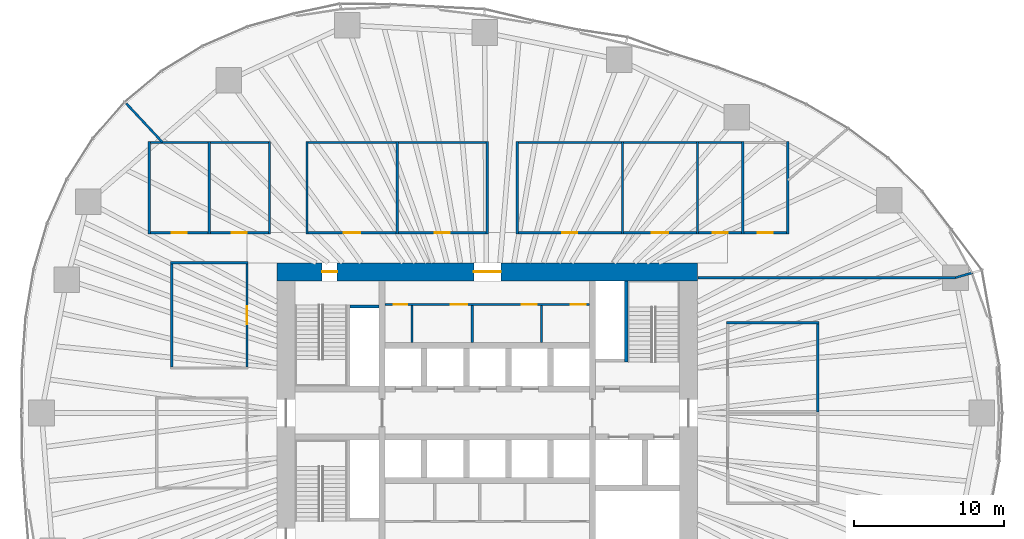
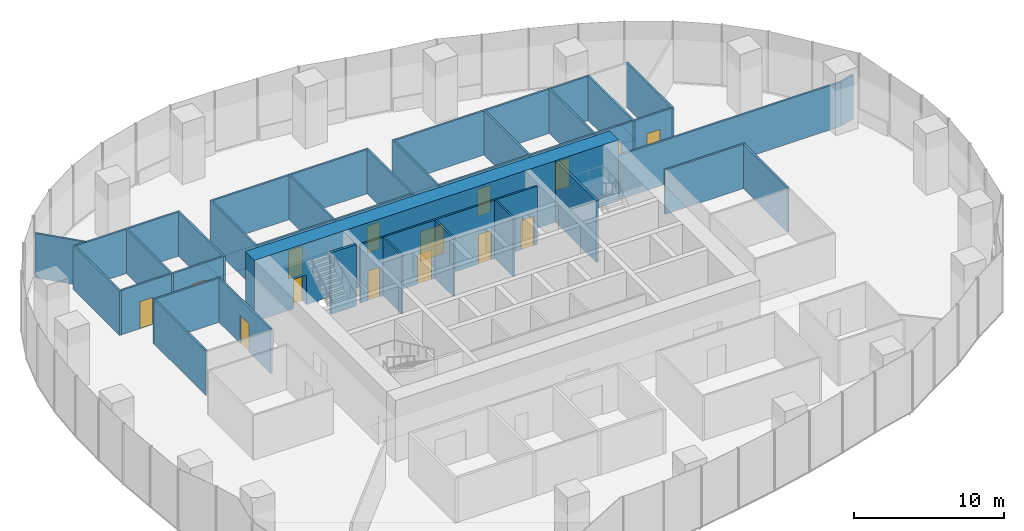
# One storey, part 11 of 19: 41 walls, 15 doors, 15 openings.
"""IFC4 building model written with IfcOpenShell, lengths in metres."""

import ifcopenshell
import ifcopenshell.guid

model = None  # the IFC model being written
_history = None  # IfcOwnerHistory: only IFC2X3 demands one
_inside = {}  # id of a spatial element -> (the spatial element, [elements in it])
_under = {}  # id of a project, library or spatial element -> (it, [spatial elements below it])
_declared = {}  # id of a project -> (the project, [libraries it declares])
_typed = {}  # id of a type object -> (the type object, [elements of that type])
_made_of = {}  # id of a material, layer set ... -> (it, [elements and type objects made of it])


def new_model(schema):
    """Start an empty IFC model of exactly this schema.

    Asked for "IFC4X3", IfcOpenShell would pick the latest addendum, in which some entities
    have other attributes; the version numbers below select the first issue.
    IFC2X3 requires an IfcOwnerHistory on every rooted entity: one is made here for all.
    """
    global model, _history
    if schema == "IFC4X3":
        model = ifcopenshell.file(schema_version=(4, 3, 0, 0))
    else:
        model = ifcopenshell.file(schema=schema)
    _inside.clear()
    _under.clear()
    _declared.clear()
    _typed.clear()
    _made_of.clear()
    _history = None
    if model.schema == "IFC2X3":
        org = make("IfcOrganization", Name="unknown")
        user = make(
            "IfcPersonAndOrganization",
            ThePerson=make("IfcPerson", FamilyName="unknown"),
            TheOrganization=org,
        )
        app = make(
            "IfcApplication",
            ApplicationDeveloper=org,
            Version="unknown",
            ApplicationFullName="unknown",
            ApplicationIdentifier="unknown",
        )
        _history = make(
            "IfcOwnerHistory",
            OwningUser=user,
            OwningApplication=app,
            ChangeAction="ADDED",
            CreationDate=0,
        )
    return model


def make(cls, **values):
    """One entity of the class cls with the attributes given. An attribute that is None is left unset."""
    return model.create_entity(
        cls, **{name: value for name, value in values.items() if value is not None}
    )


def rooted(cls, **values):
    """An entity with a GlobalId (a new one), such as an element, a storey or a relation."""
    return make(cls, GlobalId=ifcopenshell.guid.new(), OwnerHistory=_history, **values)


def si_unit(unit_type, name, prefix=None):
    """IfcSIUnit, for example si_unit("LENGTHUNIT", "METRE", prefix="MILLI")."""
    return make("IfcSIUnit", UnitType=unit_type, Prefix=prefix, Name=name)


def assignment(units):
    """IfcUnitAssignment: the units of a project."""
    return None if units is None else make("IfcUnitAssignment", Units=units)


def point(xyz):
    """IfcCartesianPoint."""
    return None if xyz is None else make("IfcCartesianPoint", Coordinates=xyz)


def direction(xyz):
    """IfcDirection."""
    return None if xyz is None else make("IfcDirection", DirectionRatios=xyz)


def frame(location, z_axis=None, x_axis=None):
    """IfcAxis2Placement3D, a coordinate frame: its origin and axes. An axis left out is left unset."""
    return make(
        "IfcAxis2Placement3D",
        Location=point(location),
        Axis=direction(z_axis),
        RefDirection=direction(x_axis),
    )


def frame_2d(location, x_axis=None):
    """IfcAxis2Placement2D, a coordinate frame in the plane: its origin and x axis."""
    return make(
        "IfcAxis2Placement2D", Location=point(location), RefDirection=direction(x_axis)
    )


def origin():
    """The frame at (0, 0, 0) with its axes left unset."""
    return frame((0.0, 0.0, 0.0))


def place(relative_to, where):
    """IfcLocalPlacement: puts the frame where relative to a parent placement (None: the world)."""
    return make(
        "IfcLocalPlacement", PlacementRelTo=relative_to, RelativePlacement=where
    )


def context(
    kind, dimensions, precision=None, world=None, true_north=None, identifier=None
):
    """IfcGeometricRepresentationContext, for example the 3D "Model" context."""
    return make(
        "IfcGeometricRepresentationContext",
        ContextIdentifier=identifier,
        ContextType=kind,
        CoordinateSpaceDimension=dimensions,
        Precision=precision,
        WorldCoordinateSystem=world,
        TrueNorth=true_north,
    )


def subcontext(parent, identifier, kind, view, scale=None):
    """IfcGeometricRepresentationSubContext, for example "Body" below "Model"."""
    return make(
        "IfcGeometricRepresentationSubContext",
        ContextIdentifier=identifier,
        ContextType=kind,
        ParentContext=parent,
        TargetScale=scale,
        TargetView=view,
    )


def project(units=None, contexts=None):
    """IfcProject with its units and contexts."""
    return rooted(
        "IfcProject",
        Name="project",
        RepresentationContexts=contexts,
        UnitsInContext=assignment(units),
    )


def spatial(cls, under=None, at=None, **own):
    """A site, building, storey or space (cls), placed at a placement, below another one or the project."""
    s = rooted(cls, ObjectPlacement=at, **own)
    if under is not None:
        _under.setdefault(under.id(), (under, []))[1].append(s)
    return s


def profile(cls, at=None, kind="AREA", **sizes):
    """A parametric profile (cls). Its sizes go by their IFC names, for example OverallWidth=200.0."""
    return make(cls, ProfileType=kind, Position=at, **sizes)


def rectangle(**sizes):
    """IfcRectangleProfileDef."""
    return profile("IfcRectangleProfileDef", **sizes)


def extrude(swept, where, along, depth):
    """IfcExtrudedAreaSolid: the profile swept, set in the frame where, extruded along a direction by depth."""
    return make(
        "IfcExtrudedAreaSolid",
        SweptArea=swept,
        Position=where,
        ExtrudedDirection=direction(along),
        Depth=depth,
    )


def shape(context_of_items, identifier, shape_type, items):
    """IfcShapeRepresentation: the items that make up one representation, for example the "Body"."""
    return make(
        "IfcShapeRepresentation",
        ContextOfItems=context_of_items,
        RepresentationIdentifier=identifier,
        RepresentationType=shape_type,
        Items=items,
    )


def material(Name=None, Category=None):
    """IfcMaterial."""
    return make("IfcMaterial", Name=Name, Category=Category)


def layer(
    of_material, thickness, ventilated=None, Name=None, Category=None, Priority=None
):
    """IfcMaterialLayer: one layer of a wall or slab, of a material (None: an air gap)."""
    return make(
        "IfcMaterialLayer",
        Material=of_material,
        LayerThickness=thickness,
        IsVentilated=ventilated,
        Name=Name,
        Category=Category,
        Priority=Priority,
    )


def layer_set(layers, Name=None):
    """IfcMaterialLayerSet."""
    return make("IfcMaterialLayerSet", MaterialLayers=layers, LayerSetName=Name)


def made_of(thing, what):
    """Note that an element or type object is made of a material, layer set ...; save() writes the relation."""
    if what is not None:
        _made_of.setdefault(what.id(), (what, []))[1].append(thing)
    return thing


def type_object(cls, material=None, **own):
    """A type object (cls), such as IfcWallType, which elements share."""
    return made_of(rooted(cls, **own), material)


def element(
    cls,
    number,
    at=None,
    inside=None,
    cuts=None,
    type_object=None,
    material=None,
    context=None,
    identifier="Body",
    shape_type=None,
    held_by="IfcProductDefinitionShape",
    body=None,
    shapes=None,
    **own,
):
    """One element of the class cls, such as IfcWall. Its Tag is "e" and its number.

    at: its placement. inside: the storey or other place that contains it. cuts: it is an
    opening in that element (IfcRelVoidsElement). A single representation is given by context,
    identifier, shape_type and body (its items); several are given by shapes. held_by: the class
    of the entity that holds the representations. save() writes the other relations.
    """
    e = rooted(cls, Tag="e%d" % number, ObjectPlacement=at, **own)
    if body is not None:
        shapes = [shape(context, identifier, shape_type, body)]
    if shapes is not None:
        e.Representation = make(held_by, Representations=shapes)
    if inside is not None:
        _inside.setdefault(inside.id(), (inside, []))[1].append(e)
    if cuts is not None:
        rooted(
            "IfcRelVoidsElement", RelatingBuildingElement=cuts, RelatedOpeningElement=e
        )
    if type_object is not None:
        _typed.setdefault(type_object.id(), (type_object, []))[1].append(e)
    return made_of(e, material)


def fill(opening, filler):
    """IfcRelFillsElement: the door or window that sits in an opening."""
    return rooted(
        "IfcRelFillsElement",
        RelatingOpeningElement=opening,
        RelatedBuildingElement=filler,
    )


def aggregate(whole, parts):
    """IfcRelAggregates: a whole, such as a stair, and the parts it consists of."""
    return rooted("IfcRelAggregates", RelatingObject=whole, RelatedObjects=parts)


def save(model, path):
    """Write the relations noted so far, then the file.

    IfcRelAggregates (storeys below a building ...), IfcRelContainedInSpatialStructure (elements
    in a storey), IfcRelDefinesByType, IfcRelAssociatesMaterial and IfcRelDeclares: one each for
    every whole, place, type object, material and project.
    """
    for whole, parts in _under.values():
        aggregate(whole, parts)
    for where, things in _inside.values():
        rooted(
            "IfcRelContainedInSpatialStructure",
            RelatedElements=things,
            RelatingStructure=where,
        )
    for kind, things in _typed.values():
        rooted("IfcRelDefinesByType", RelatedObjects=things, RelatingType=kind)
    for what, things in _made_of.values():
        rooted("IfcRelAssociatesMaterial", RelatedObjects=things, RelatingMaterial=what)
    for by, libraries in _declared.values():
        rooted("IfcRelDeclares", RelatingContext=by, RelatedDefinitions=libraries)
    model.write(path)


model = new_model("IFC4")

# Units and contexts
model_context = context("Model", 3, precision=1e-05, world=origin(), true_north=direction((0.0, 1.0)))
body_context = subcontext(model_context, "Body", "Model", "MODEL_VIEW")
ifc_project = project(units=[si_unit("LENGTHUNIT", "METRE"), si_unit("AREAUNIT", "SQUARE_METRE"), si_unit("VOLUMEUNIT", "CUBIC_METRE"), si_unit("PLANEANGLEUNIT", "RADIAN"), si_unit("MASSUNIT", "GRAM", prefix="KILO")], contexts=[model_context])

# Site, building, storey
site_placement = place(None, origin())
site = spatial("IfcSite", under=ifc_project, at=site_placement, CompositionType="ELEMENT")
building_placement = place(site_placement, origin())
building = spatial("IfcBuilding", under=site, at=building_placement, Name="Ghaith Harvest Tower", CompositionType="ELEMENT")
storey_placement = place(building_placement, frame((0.0, 0.0, 75.0)))
storey = spatial("IfcBuildingStorey", under=building, at=storey_placement, Name="L15", CompositionType="ELEMENT", Elevation=75.0)

# Wall, openings, doors
ifc_material_1 = material(Name="Concrete blockwork, fair-faced", Category="masonry")
ifc_layer_1 = layer(ifc_material_1, 0.139892578125)
ifc_layer_set_1 = layer_set([ifc_layer_1], Name="CORE PARTITION 140")
wall_type_1 = type_object("IfcWallType", Name="CORE PARTITION 140", PredefinedType="PARTITIONING", material=ifc_layer_set_1)
wall_1_placement = place(storey_placement, frame((-6.800048828125, 7.22998046875, 0.0), z_axis=(0.0, 0.0, 1.0), x_axis=(1.0, 0.0, 0.0)))
wall_1 = element("IfcWall", 1, at=wall_1_placement, inside=storey, type_object=wall_type_1, Name="Core partition L15", PredefinedType="PARTITIONING", context=body_context, shape_type="SweptSolid", body=[
    extrude(rectangle(XDim=13.60009765625, YDim=0.139892578125, at=frame_2d((6.800048828125, 0.0))), origin(), (0.0, 0.0, 1.0), 4.75),
])
opening_1_placement = place(wall_1_placement, frame((0.580078125, 0.0, 0.0)))
opening_1 = element("IfcOpeningElement", 2, at=opening_1_placement, cuts=wall_1, Name="Opening 15-008", PredefinedType="OPENING", context=body_context, shape_type="SweptSolid", body=[
    extrude(rectangle(XDim=0.89990234375, YDim=2.39990234375, at=frame_2d((0.449951171875, 1.199951171875))), frame((0.0, 0.080078125, 0.0), z_axis=(0.0, -1.0, 0.0), x_axis=(1.0, 0.0, 0.0)), (0.0, 0.0, 1.0), 0.159912109375),
])
opening_2_placement = place(wall_1_placement, frame((4.3798828125, 0.0, 0.0)))
opening_2 = element("IfcOpeningElement", 3, at=opening_2_placement, cuts=wall_1, Name="Opening 15-009", PredefinedType="OPENING", context=body_context, shape_type="SweptSolid", body=[
    extrude(rectangle(XDim=1.10009765625, YDim=2.39990234375, at=frame_2d((0.550048828125, 1.199951171875))), frame((0.0, 0.080078125, 0.0), z_axis=(0.0, -1.0, 0.0), x_axis=(1.0, 0.0, 0.0)), (0.0, 0.0, 1.0), 0.159912109375),
])
opening_3_placement = place(wall_1_placement, frame((9.080078125, 0.0, 0.0)))
opening_3 = element("IfcOpeningElement", 4, at=opening_3_placement, cuts=wall_1, Name="Opening 15-010", PredefinedType="OPENING", context=body_context, shape_type="SweptSolid", body=[
    extrude(rectangle(XDim=1.0, YDim=2.39990234375, at=frame_2d((0.5, 1.199951171875))), frame((0.0, 0.080078125, 0.0), z_axis=(0.0, -1.0, 0.0), x_axis=(1.0, 0.0, 0.0)), (0.0, 0.0, 1.0), 0.159912109375),
])
opening_4_placement = place(wall_1_placement, frame((12.35009765625, 0.0, 0.0)))
opening_4 = element("IfcOpeningElement", 5, at=opening_4_placement, cuts=wall_1, Name="Opening 15-011", PredefinedType="OPENING", context=body_context, shape_type="SweptSolid", body=[
    extrude(rectangle(XDim=1.0, YDim=2.39990234375, at=frame_2d((0.5, 1.199951171875))), frame((0.0, 0.080078125, 0.0), z_axis=(0.0, -1.0, 0.0), x_axis=(1.0, 0.0, 0.0)), (0.0, 0.0, 1.0), 0.159912109375),
])
ifc_material_2 = material(Name="Steel fire door", Category="steel")
door_type_1 = type_object("IfcDoorType", Name="D3 FD90 1000x2400", OperationType="SINGLE_SWING_LEFT", PredefinedType="DOOR", material=ifc_material_2)
door_1_placement = place(opening_3_placement, origin())
door_1 = element("IfcDoor", 6, at=door_1_placement, inside=storey, type_object=door_type_1, Name="Male WC door", OperationType="SINGLE_SWING_RIGHT", OverallHeight=2.39990234375, OverallWidth=1.0, PredefinedType="DOOR", context=body_context, shape_type="SweptSolid", body=[
    extrude(rectangle(XDim=1.0, YDim=2.39990234375, at=frame_2d((0.5, 1.199951171875))), frame((0.0, 0.02490234375, 0.0), z_axis=(0.0, -1.0, 0.0), x_axis=(1.0, 0.0, 0.0)), (0.0, 0.0, 1.0), 0.050048828125),
])
fill(opening_3, door_1)
door_2_placement = place(opening_4_placement, origin())
door_2 = element("IfcDoor", 7, at=door_2_placement, inside=storey, type_object=door_type_1, Name="Female WC door", OperationType="SINGLE_SWING_RIGHT", OverallHeight=2.39990234375, OverallWidth=1.0, PredefinedType="DOOR", context=body_context, shape_type="SweptSolid", body=[
    extrude(rectangle(XDim=1.0, YDim=2.39990234375, at=frame_2d((0.5, 1.199951171875))), frame((0.0, 0.02490234375, 0.0), z_axis=(0.0, -1.0, 0.0), x_axis=(1.0, 0.0, 0.0)), (0.0, 0.0, 1.0), 0.050048828125),
])
fill(opening_4, door_2)
ifc_material_3 = material(Name="Steel fire door", Category="steel")
door_type_2 = type_object("IfcDoorType", Name="D5 FD90 900x2400", OperationType="SINGLE_SWING_LEFT", PredefinedType="DOOR", material=ifc_material_3)
door_3_placement = place(opening_1_placement, origin())
door_3 = element("IfcDoor", 8, at=door_3_placement, inside=storey, type_object=door_type_2, Name="Cleaner's store door", OperationType="SINGLE_SWING_LEFT", OverallHeight=2.39990234375, OverallWidth=0.89990234375, PredefinedType="DOOR", context=body_context, shape_type="SweptSolid", body=[
    extrude(rectangle(XDim=0.89990234375, YDim=2.39990234375, at=frame_2d((0.449951171875, 1.199951171875))), frame((0.0, 0.02490234375, 0.0), z_axis=(0.0, -1.0, 0.0), x_axis=(1.0, 0.0, 0.0)), (0.0, 0.0, 1.0), 0.050048828125),
])
fill(opening_1, door_3)
ifc_material_4 = material(Name="Steel fire door", Category="steel")
door_type_3 = type_object("IfcDoorType", Name="D9 FD90 1100x2400", OperationType="SINGLE_SWING_LEFT", PredefinedType="DOOR", material=ifc_material_4)
door_4_placement = place(opening_2_placement, origin())
door_4 = element("IfcDoor", 9, at=door_4_placement, inside=storey, type_object=door_type_3, Name="Accessible WC door", OperationType="SINGLE_SWING_LEFT", OverallHeight=2.39990234375, OverallWidth=1.10009765625, PredefinedType="DOOR", context=body_context, shape_type="SweptSolid", body=[
    extrude(rectangle(XDim=1.10009765625, YDim=2.39990234375, at=frame_2d((0.550048828125, 1.199951171875))), frame((0.0, 0.02490234375, 0.0), z_axis=(0.0, -1.0, 0.0), x_axis=(1.0, 0.0, 0.0)), (0.0, 0.0, 1.0), 0.050048828125),
])
fill(opening_2, door_4)

# Walls
for number, where, z_axis, x_axis, name in (
    (10, (-5.0, 4.699951171875, 0.0), (0.0, 0.0, 1.0), (0.0, 1.0, 0.0), "Core partition L15"),
    (11, (-1.0, 4.699951171875, 0.0), (0.0, 0.0, 1.0), (0.0, 1.0, 0.0), "Core partition L15"),
    (12, (3.60009765625, 4.699951171875, 0.0), (0.0, 0.0, 1.0), (0.0, 1.0, 0.0), "Core partition L15"),
):
    element("IfcWall", number, at=place(storey_placement, frame(where, z_axis=z_axis, x_axis=x_axis)), inside=storey, type_object=wall_type_1, Name=name, PredefinedType="PARTITIONING", context=body_context, shape_type="SweptSolid", body=[
        extrude(rectangle(XDim=2.4599609375, YDim=0.139892578125, at=frame_2d((1.22998046875, 0.0))), origin(), (0.0, 0.0, 1.0), 4.75),
    ])

# Wall, openings, doors
ifc_material_5 = material(Name="Concrete C70/85", Category="concrete")
ifc_layer_2 = layer(ifc_material_5, 1.199951171875)
ifc_layer_set_2 = layer_set([ifc_layer_2], Name="CORE WALL CW1200")
wall_type_2 = type_object("IfcWallType", Name="CORE WALL CW1200", PredefinedType="SHEAR", material=ifc_layer_set_2)
wall_2_placement = place(storey_placement, frame((14.0, 9.39990234375, 0.0), z_axis=(0.0, 0.0, 1.0), x_axis=(-1.0, 0.0, 0.0)))
wall_2 = element("IfcWall", 13, at=wall_2_placement, inside=storey, type_object=wall_type_2, Name="Core wall N L15", PredefinedType="SHEAR", context=body_context, shape_type="SweptSolid", body=[
    extrude(rectangle(XDim=28.0, YDim=1.199951171875, at=frame_2d((14.0, 0.0))), origin(), (0.0, 0.0, 1.0), 5.0),
])
opening_5_placement = place(wall_2_placement, frame((24.0, 0.0, 0.0)))
opening_5 = element("IfcOpeningElement", 14, at=opening_5_placement, cuts=wall_2, Name="Opening 15-005", PredefinedType="OPENING", context=body_context, shape_type="SweptSolid", body=[
    extrude(rectangle(XDim=1.0, YDim=2.39990234375, at=frame_2d((0.5, 1.199951171875))), frame((0.0, 0.60986328125, 0.0), z_axis=(0.0, -1.0, 0.0), x_axis=(1.0, 0.0, 0.0)), (0.0, 0.0, 1.0), 1.219970703125),
])
opening_6_placement = place(wall_2_placement, frame((13.10009765625, 0.0, 0.0)))
opening_6 = element("IfcOpeningElement", 15, at=opening_6_placement, cuts=wall_2, Name="Opening 15-016", PredefinedType="OPENING", context=body_context, shape_type="SweptSolid", body=[
    extrude(rectangle(XDim=1.800048828125, YDim=2.39990234375, at=frame_2d((0.89990234375, 1.199951171875))), frame((0.0, 0.60986328125, 0.0), z_axis=(0.0, -1.0, 0.0), x_axis=(1.0, 0.0, 0.0)), (0.0, 0.0, 1.0), 1.219970703125),
])
door_5_placement = place(opening_5_placement, origin())
door_5 = element("IfcDoor", 16, at=door_5_placement, inside=storey, type_object=door_type_1, Name="Stair ST1 door", OperationType="SINGLE_SWING_RIGHT", OverallHeight=2.39990234375, OverallWidth=1.0, PredefinedType="DOOR", context=body_context, shape_type="SweptSolid", body=[
    extrude(rectangle(XDim=1.0, YDim=2.39990234375, at=frame_2d((0.5, 1.199951171875))), frame((0.0, 0.02490234375, 0.0), z_axis=(0.0, -1.0, 0.0), x_axis=(1.0, 0.0, 0.0)), (0.0, 0.0, 1.0), 0.050048828125),
])
fill(opening_5, door_5)
ifc_material_6 = material(Name="Steel fire door", Category="steel")
door_type_4 = type_object("IfcDoorType", Name="D4 FD90 PAIR 1800x2400", OperationType="DOUBLE_DOOR_SINGLE_SWING", PredefinedType="DOOR", material=ifc_material_6)
door_6_placement = place(opening_6_placement, origin())
door_6 = element("IfcDoor", 17, at=door_6_placement, inside=storey, type_object=door_type_4, Name="Core service corridor doors", OperationType="DOUBLE_DOOR_SINGLE_SWING", OverallHeight=2.39990234375, OverallWidth=1.800048828125, PredefinedType="DOOR", context=body_context, shape_type="SweptSolid", body=[
    extrude(rectangle(XDim=1.800048828125, YDim=2.39990234375, at=frame_2d((0.89990234375, 1.199951171875))), frame((0.0, 0.02490234375, 0.0), z_axis=(0.0, -1.0, 0.0), x_axis=(1.0, 0.0, 0.0)), (0.0, 0.0, 1.0), 0.050048828125),
])
fill(opening_6, door_6)

# Walls
ifc_material_7 = material(Name="Gypsum board on steel studs", Category="steel")
ifc_layer_3 = layer(ifc_material_7, 0.14990234375)
ifc_layer_set_3 = layer_set([ifc_layer_3], Name="PARTITION 150")
wall_type_3 = type_object("IfcWallType", Name="PARTITION 150", PredefinedType="PARTITIONING", material=ifc_layer_set_3)
for number, where, z_axis, x_axis, name in (
    (18, (-12.0, 11.925048828125, 0.0), (0.0, 0.0, 1.0), (0.0, 1.0, 0.0), "Partition L15 row N1 cross wall 1"),
    (19, (-6.0, 11.925048828125, 0.0), (0.0, 0.0, 1.0), (0.0, 1.0, 0.0), "Partition L15 row N1 cross wall 2"),
    (20, (0.0, 11.925048828125, 0.0), (0.0, 0.0, 1.0), (0.0, 1.0, 0.0), "Partition L15 row N1 cross wall 3"),
):
    element("IfcWall", number, at=place(storey_placement, frame(where, z_axis=z_axis, x_axis=x_axis)), inside=storey, type_object=wall_type_3, Name=name, PredefinedType="PARTITIONING", context=body_context, shape_type="SweptSolid", body=[
        extrude(rectangle(XDim=6.14990234375, YDim=0.14990234375, at=frame_2d((3.074951171875, 0.0))), origin(), (0.0, 0.0, 1.0), 3.60009765625),
    ])

# Wall, opening, door
wall_3_placement = place(storey_placement, frame((-11.925048828125, 12.0, 0.0), z_axis=(0.0, 0.0, 1.0), x_axis=(1.0, 0.0, 0.0)))
wall_3 = element("IfcWall", 21, at=wall_3_placement, inside=storey, type_object=wall_type_3, Name="Partition L15-01", PredefinedType="PARTITIONING", context=body_context, shape_type="SweptSolid", body=[
    extrude(rectangle(XDim=5.85009765625, YDim=0.14990234375, at=frame_2d((2.925048828125, 0.0))), origin(), (0.0, 0.0, 1.0), 3.60009765625),
])
opening_7_placement = place(wall_3_placement, frame((2.375, 0.0, 0.0)))
opening_7 = element("IfcOpeningElement", 22, at=opening_7_placement, cuts=wall_3, Name="Opening 15-025", PredefinedType="OPENING", context=body_context, shape_type="SweptSolid", body=[
    extrude(rectangle(XDim=1.10009765625, YDim=2.300048828125, at=frame_2d((0.550048828125, 1.14990234375))), frame((0.0, 0.0849609375, 0.0), z_axis=(0.0, -1.0, 0.0), x_axis=(1.0, 0.0, 0.0)), (0.0, 0.0, 1.0), 0.169921875),
])
ifc_material_8 = material(Name="Timber-framed glazed door", Category="wood")
door_type_5 = type_object("IfcDoorType", Name="D12 GLAZED OFFICE 1100x2300", OperationType="SINGLE_SWING_LEFT", PredefinedType="DOOR", material=ifc_material_8)
door_7_placement = place(opening_7_placement, origin())
door_7 = element("IfcDoor", 23, at=door_7_placement, inside=storey, type_object=door_type_5, Name="Crop office door", OperationType="SINGLE_SWING_LEFT", OverallHeight=2.300048828125, OverallWidth=1.10009765625, PredefinedType="DOOR", context=body_context, shape_type="SweptSolid", body=[
    extrude(rectangle(XDim=1.10009765625, YDim=2.300048828125, at=frame_2d((0.550048828125, 1.14990234375))), frame((0.0, 0.02490234375, 0.0), z_axis=(0.0, -1.0, 0.0), x_axis=(1.0, 0.0, 0.0)), (0.0, 0.0, 1.0), 0.050048828125),
])
fill(opening_7, door_7)

# Wall
wall_4_placement = place(storey_placement, frame((-11.925048828125, 18.0, 0.0), z_axis=(0.0, 0.0, 1.0), x_axis=(1.0, 0.0, 0.0)))
element("IfcWall", 24, at=wall_4_placement, inside=storey, type_object=wall_type_3, Name="Partition L15-01", PredefinedType="PARTITIONING", context=body_context, shape_type="SweptSolid", body=[
    extrude(rectangle(XDim=5.85009765625, YDim=0.14990234375, at=frame_2d((2.925048828125, 0.0))), origin(), (0.0, 0.0, 1.0), 3.60009765625),
])

# Wall, opening, door
wall_5_placement = place(storey_placement, frame((-5.925048828125, 12.0, 0.0), z_axis=(0.0, 0.0, 1.0), x_axis=(1.0, 0.0, 0.0)))
wall_5 = element("IfcWall", 25, at=wall_5_placement, inside=storey, type_object=wall_type_3, Name="Partition L15-02", PredefinedType="PARTITIONING", context=body_context, shape_type="SweptSolid", body=[
    extrude(rectangle(XDim=5.85009765625, YDim=0.14990234375, at=frame_2d((2.925048828125, 0.0))), origin(), (0.0, 0.0, 1.0), 3.60009765625),
])
opening_8_placement = place(wall_5_placement, frame((2.425048828125, 0.0, 0.0)))
opening_8 = element("IfcOpeningElement", 26, at=opening_8_placement, cuts=wall_5, Name="Opening 15-026", PredefinedType="OPENING", context=body_context, shape_type="SweptSolid", body=[
    extrude(rectangle(XDim=1.0, YDim=2.199951171875, at=frame_2d((0.5, 1.10009765625))), frame((0.0, 0.0849609375, 0.0), z_axis=(0.0, -1.0, 0.0), x_axis=(1.0, 0.0, 0.0)), (0.0, 0.0, 1.0), 0.169921875),
])
ifc_material_9 = material(Name="Timber door", Category="wood")
door_type_6 = type_object("IfcDoorType", Name="D1 SINGLE 1000x2200", OperationType="SINGLE_SWING_LEFT", PredefinedType="DOOR", material=ifc_material_9)
door_8_placement = place(opening_8_placement, origin())
door_8 = element("IfcDoor", 27, at=door_8_placement, inside=storey, type_object=door_type_6, Name="Pollination room door", OperationType="SINGLE_SWING_LEFT", OverallHeight=2.199951171875, OverallWidth=1.0, PredefinedType="DOOR", context=body_context, shape_type="SweptSolid", body=[
    extrude(rectangle(XDim=1.0, YDim=2.199951171875, at=frame_2d((0.5, 1.10009765625))), frame((0.0, 0.02490234375, 0.0), z_axis=(0.0, -1.0, 0.0), x_axis=(1.0, 0.0, 0.0)), (0.0, 0.0, 1.0), 0.050048828125),
])
fill(opening_8, door_8)

# Walls
wall_6_placement = place(storey_placement, frame((-5.925048828125, 18.0, 0.0), z_axis=(0.0, 0.0, 1.0), x_axis=(1.0, 0.0, 0.0)))
element("IfcWall", 28, at=wall_6_placement, inside=storey, type_object=wall_type_3, Name="Partition L15-02", PredefinedType="PARTITIONING", context=body_context, shape_type="SweptSolid", body=[
    extrude(rectangle(XDim=5.85009765625, YDim=0.14990234375, at=frame_2d((2.925048828125, 0.0))), origin(), (0.0, 0.0, 1.0), 3.60009765625),
])
wall_7_placement = place(storey_placement, frame((15.925048828125, 6.0, 0.0), z_axis=(0.0, 0.0, 1.0), x_axis=(1.0, 0.0, 0.0)))
element("IfcWall", 29, at=wall_7_placement, inside=storey, type_object=wall_type_3, Name="Partition L15 row E5 cross wall 3", PredefinedType="PARTITIONING", context=body_context, shape_type="SweptSolid", body=[
    extrude(rectangle(XDim=6.14990234375, YDim=0.14990234375, at=frame_2d((3.074951171875, 0.0))), origin(), (0.0, 0.0, 1.0), 3.60009765625),
])
wall_8_placement = place(storey_placement, frame((22.0, 0.074951171875, 0.0), z_axis=(0.0, 0.0, 1.0), x_axis=(0.0, 1.0, 0.0)))
element("IfcWall", 30, at=wall_8_placement, inside=storey, type_object=wall_type_3, Name="Partition L15-09", PredefinedType="PARTITIONING", context=body_context, shape_type="SweptSolid", body=[
    extrude(rectangle(XDim=5.85009765625, YDim=0.14990234375, at=frame_2d((2.925048828125, 0.0))), origin(), (0.0, 0.0, 1.0), 3.60009765625),
])
for number, where, z_axis, x_axis, name in (
    (31, (2.0, 11.925048828125, 0.0), (0.0, 0.0, 1.0), (0.0, 1.0, 0.0), "Partition L15 row N6 cross wall 1"),
    (32, (9.0, 11.925048828125, 0.0), (0.0, 0.0, 1.0), (0.0, 1.0, 0.0), "Partition L15 row N6 cross wall 2"),
    (33, (14.0, 11.925048828125, 0.0), (0.0, 0.0, 1.0), (0.0, 1.0, 0.0), "Partition L15 row N6 cross wall 3"),
    (34, (17.0, 11.925048828125, 0.0), (0.0, 0.0, 1.0), (0.0, 1.0, 0.0), "Partition L15 row N6 cross wall 4"),
    (35, (20.0, 11.925048828125, 0.0), (0.0, 0.0, 1.0), (0.0, 1.0, 0.0), "Partition L15 row N6 cross wall 5"),
):
    element("IfcWall", number, at=place(storey_placement, frame(where, z_axis=z_axis, x_axis=x_axis)), inside=storey, type_object=wall_type_3, Name=name, PredefinedType="PARTITIONING", context=body_context, shape_type="SweptSolid", body=[
        extrude(rectangle(XDim=6.14990234375, YDim=0.14990234375, at=frame_2d((3.074951171875, 0.0))), origin(), (0.0, 0.0, 1.0), 3.60009765625),
    ])

# Wall, opening, door
wall_9_placement = place(storey_placement, frame((2.074951171875, 12.0, 0.0), z_axis=(0.0, 0.0, 1.0), x_axis=(1.0, 0.0, 0.0)))
wall_9 = element("IfcWall", 36, at=wall_9_placement, inside=storey, type_object=wall_type_3, Name="Partition L15-10", PredefinedType="PARTITIONING", context=body_context, shape_type="SweptSolid", body=[
    extrude(rectangle(XDim=6.85009765625, YDim=0.14990234375, at=frame_2d((3.425048828125, 0.0))), origin(), (0.0, 0.0, 1.0), 3.60009765625),
])
opening_9_placement = place(wall_9_placement, frame((2.925048828125, 0.0, 0.0)))
opening_9 = element("IfcOpeningElement", 37, at=opening_9_placement, cuts=wall_9, Name="Opening 15-034", PredefinedType="OPENING", context=body_context, shape_type="SweptSolid", body=[
    extrude(rectangle(XDim=1.0, YDim=2.199951171875, at=frame_2d((0.5, 1.10009765625))), frame((0.0, 0.0849609375, 0.0), z_axis=(0.0, -1.0, 0.0), x_axis=(1.0, 0.0, 0.0)), (0.0, 0.0, 1.0), 0.169921875),
])
door_9_placement = place(opening_9_placement, origin())
door_9 = element("IfcDoor", 38, at=door_9_placement, inside=storey, type_object=door_type_6, Name="Seedling room door", OperationType="SINGLE_SWING_LEFT", OverallHeight=2.199951171875, OverallWidth=1.0, PredefinedType="DOOR", context=body_context, shape_type="SweptSolid", body=[
    extrude(rectangle(XDim=1.0, YDim=2.199951171875, at=frame_2d((0.5, 1.10009765625))), frame((0.0, 0.02490234375, 0.0), z_axis=(0.0, -1.0, 0.0), x_axis=(1.0, 0.0, 0.0)), (0.0, 0.0, 1.0), 0.050048828125),
])
fill(opening_9, door_9)

# Wall
wall_10_placement = place(storey_placement, frame((2.074951171875, 18.0, 0.0), z_axis=(0.0, 0.0, 1.0), x_axis=(1.0, 0.0, 0.0)))
element("IfcWall", 39, at=wall_10_placement, inside=storey, type_object=wall_type_3, Name="Partition L15-10", PredefinedType="PARTITIONING", context=body_context, shape_type="SweptSolid", body=[
    extrude(rectangle(XDim=6.85009765625, YDim=0.14990234375, at=frame_2d((3.425048828125, 0.0))), origin(), (0.0, 0.0, 1.0), 3.60009765625),
])

# Wall, opening, door
wall_11_placement = place(storey_placement, frame((9.074951171875, 12.0, 0.0), z_axis=(0.0, 0.0, 1.0), x_axis=(1.0, 0.0, 0.0)))
wall_11 = element("IfcWall", 40, at=wall_11_placement, inside=storey, type_object=wall_type_3, Name="Partition L15-11", PredefinedType="PARTITIONING", context=body_context, shape_type="SweptSolid", body=[
    extrude(rectangle(XDim=4.85009765625, YDim=0.14990234375, at=frame_2d((2.425048828125, 0.0))), origin(), (0.0, 0.0, 1.0), 3.60009765625),
])
opening_10_placement = place(wall_11_placement, frame((1.875, 0.0, 0.0)))
opening_10 = element("IfcOpeningElement", 41, at=opening_10_placement, cuts=wall_11, Name="Opening 15-035", PredefinedType="OPENING", context=body_context, shape_type="SweptSolid", body=[
    extrude(rectangle(XDim=1.10009765625, YDim=2.300048828125, at=frame_2d((0.550048828125, 1.14990234375))), frame((0.0, 0.0849609375, 0.0), z_axis=(0.0, -1.0, 0.0), x_axis=(1.0, 0.0, 0.0)), (0.0, 0.0, 1.0), 0.169921875),
])
door_10_placement = place(opening_10_placement, origin())
door_10 = element("IfcDoor", 42, at=door_10_placement, inside=storey, type_object=door_type_5, Name="Growing office door", OperationType="SINGLE_SWING_LEFT", OverallHeight=2.300048828125, OverallWidth=1.10009765625, PredefinedType="DOOR", context=body_context, shape_type="SweptSolid", body=[
    extrude(rectangle(XDim=1.10009765625, YDim=2.300048828125, at=frame_2d((0.550048828125, 1.14990234375))), frame((0.0, 0.02490234375, 0.0), z_axis=(0.0, -1.0, 0.0), x_axis=(1.0, 0.0, 0.0)), (0.0, 0.0, 1.0), 0.050048828125),
])
fill(opening_10, door_10)

# Wall
wall_12_placement = place(storey_placement, frame((9.074951171875, 18.0, 0.0), z_axis=(0.0, 0.0, 1.0), x_axis=(1.0, 0.0, 0.0)))
element("IfcWall", 43, at=wall_12_placement, inside=storey, type_object=wall_type_3, Name="Partition L15-11", PredefinedType="PARTITIONING", context=body_context, shape_type="SweptSolid", body=[
    extrude(rectangle(XDim=4.85009765625, YDim=0.14990234375, at=frame_2d((2.425048828125, 0.0))), origin(), (0.0, 0.0, 1.0), 3.60009765625),
])

# Wall, opening, door
wall_13_placement = place(storey_placement, frame((14.074951171875, 12.0, 0.0), z_axis=(0.0, 0.0, 1.0), x_axis=(1.0, 0.0, 0.0)))
wall_13 = element("IfcWall", 44, at=wall_13_placement, inside=storey, type_object=wall_type_3, Name="Partition L15-12", PredefinedType="PARTITIONING", context=body_context, shape_type="SweptSolid", body=[
    extrude(rectangle(XDim=2.85009765625, YDim=0.14990234375, at=frame_2d((1.425048828125, 0.0))), origin(), (0.0, 0.0, 1.0), 3.60009765625),
])
opening_11_placement = place(wall_13_placement, frame((0.925048828125, 0.0, 0.0)))
opening_11 = element("IfcOpeningElement", 45, at=opening_11_placement, cuts=wall_13, Name="Opening 15-036", PredefinedType="OPENING", context=body_context, shape_type="SweptSolid", body=[
    extrude(rectangle(XDim=1.0, YDim=2.199951171875, at=frame_2d((0.5, 1.10009765625))), frame((0.0, 0.0849609375, 0.0), z_axis=(0.0, -1.0, 0.0), x_axis=(1.0, 0.0, 0.0)), (0.0, 0.0, 1.0), 0.169921875),
])
door_11_placement = place(opening_11_placement, origin())
door_11 = element("IfcDoor", 46, at=door_11_placement, inside=storey, type_object=door_type_6, Name="Male staff changing room door", OperationType="SINGLE_SWING_LEFT", OverallHeight=2.199951171875, OverallWidth=1.0, PredefinedType="DOOR", context=body_context, shape_type="SweptSolid", body=[
    extrude(rectangle(XDim=1.0, YDim=2.199951171875, at=frame_2d((0.5, 1.10009765625))), frame((0.0, 0.02490234375, 0.0), z_axis=(0.0, -1.0, 0.0), x_axis=(1.0, 0.0, 0.0)), (0.0, 0.0, 1.0), 0.050048828125),
])
fill(opening_11, door_11)

# Wall
wall_14_placement = place(storey_placement, frame((14.074951171875, 18.0, 0.0), z_axis=(0.0, 0.0, 1.0), x_axis=(1.0, 0.0, 0.0)))
element("IfcWall", 47, at=wall_14_placement, inside=storey, type_object=wall_type_3, Name="Partition L15-12", PredefinedType="PARTITIONING", context=body_context, shape_type="SweptSolid", body=[
    extrude(rectangle(XDim=2.85009765625, YDim=0.14990234375, at=frame_2d((1.425048828125, 0.0))), origin(), (0.0, 0.0, 1.0), 3.60009765625),
])

# Wall, opening, door
wall_15_placement = place(storey_placement, frame((17.074951171875, 12.0, 0.0), z_axis=(0.0, 0.0, 1.0), x_axis=(1.0, 0.0, 0.0)))
wall_15 = element("IfcWall", 48, at=wall_15_placement, inside=storey, type_object=wall_type_3, Name="Partition L15-13", PredefinedType="PARTITIONING", context=body_context, shape_type="SweptSolid", body=[
    extrude(rectangle(XDim=2.85009765625, YDim=0.14990234375, at=frame_2d((1.425048828125, 0.0))), origin(), (0.0, 0.0, 1.0), 3.60009765625),
])
opening_12_placement = place(wall_15_placement, frame((0.925048828125, 0.0, 0.0)))
opening_12 = element("IfcOpeningElement", 49, at=opening_12_placement, cuts=wall_15, Name="Opening 15-037", PredefinedType="OPENING", context=body_context, shape_type="SweptSolid", body=[
    extrude(rectangle(XDim=1.0, YDim=2.199951171875, at=frame_2d((0.5, 1.10009765625))), frame((0.0, 0.0849609375, 0.0), z_axis=(0.0, -1.0, 0.0), x_axis=(1.0, 0.0, 0.0)), (0.0, 0.0, 1.0), 0.169921875),
])
door_12_placement = place(opening_12_placement, origin())
door_12 = element("IfcDoor", 50, at=door_12_placement, inside=storey, type_object=door_type_6, Name="Female staff changing room door", OperationType="SINGLE_SWING_LEFT", OverallHeight=2.199951171875, OverallWidth=1.0, PredefinedType="DOOR", context=body_context, shape_type="SweptSolid", body=[
    extrude(rectangle(XDim=1.0, YDim=2.199951171875, at=frame_2d((0.5, 1.10009765625))), frame((0.0, 0.02490234375, 0.0), z_axis=(0.0, -1.0, 0.0), x_axis=(1.0, 0.0, 0.0)), (0.0, 0.0, 1.0), 0.050048828125),
])
fill(opening_12, door_12)

# Walls
for number, where, z_axis, x_axis, name in (
    (51, (-22.5, 11.925048828125, 0.0), (0.0, 0.0, 1.0), (0.0, 1.0, 0.0), "Partition L15 row N7 cross wall 1"),
    (52, (-18.5, 11.925048828125, 0.0), (0.0, 0.0, 1.0), (0.0, 1.0, 0.0), "Partition L15 row N7 cross wall 2"),
    (53, (-14.5, 11.925048828125, 0.0), (0.0, 0.0, 1.0), (0.0, 1.0, 0.0), "Partition L15 row N7 cross wall 3"),
):
    element("IfcWall", number, at=place(storey_placement, frame(where, z_axis=z_axis, x_axis=x_axis)), inside=storey, type_object=wall_type_3, Name=name, PredefinedType="PARTITIONING", context=body_context, shape_type="SweptSolid", body=[
        extrude(rectangle(XDim=6.14990234375, YDim=0.14990234375, at=frame_2d((3.074951171875, 0.0))), origin(), (0.0, 0.0, 1.0), 3.60009765625),
    ])

# Wall, opening, door
wall_16_placement = place(storey_placement, frame((-22.425048828125, 12.0, 0.0), z_axis=(0.0, 0.0, 1.0), x_axis=(1.0, 0.0, 0.0)))
wall_16 = element("IfcWall", 54, at=wall_16_placement, inside=storey, type_object=wall_type_3, Name="Partition L15-14", PredefinedType="PARTITIONING", context=body_context, shape_type="SweptSolid", body=[
    extrude(rectangle(XDim=3.85009765625, YDim=0.14990234375, at=frame_2d((1.925048828125, 0.0))), origin(), (0.0, 0.0, 1.0), 3.60009765625),
])
opening_13_placement = place(wall_16_placement, frame((1.425048828125, 0.0, 0.0)))
opening_13 = element("IfcOpeningElement", 55, at=opening_13_placement, cuts=wall_16, Name="Opening 15-038", PredefinedType="OPENING", context=body_context, shape_type="SweptSolid", body=[
    extrude(rectangle(XDim=1.0, YDim=2.199951171875, at=frame_2d((0.5, 1.10009765625))), frame((0.0, 0.0849609375, 0.0), z_axis=(0.0, -1.0, 0.0), x_axis=(1.0, 0.0, 0.0)), (0.0, 0.0, 1.0), 0.169921875),
])
door_13_placement = place(opening_13_placement, origin())
door_13 = element("IfcDoor", 56, at=door_13_placement, inside=storey, type_object=door_type_6, Name="Store door", OperationType="SINGLE_SWING_LEFT", OverallHeight=2.199951171875, OverallWidth=1.0, PredefinedType="DOOR", context=body_context, shape_type="SweptSolid", body=[
    extrude(rectangle(XDim=1.0, YDim=2.199951171875, at=frame_2d((0.5, 1.10009765625))), frame((0.0, 0.02490234375, 0.0), z_axis=(0.0, -1.0, 0.0), x_axis=(1.0, 0.0, 0.0)), (0.0, 0.0, 1.0), 0.050048828125),
])
fill(opening_13, door_13)

# Wall
wall_17_placement = place(storey_placement, frame((-22.425048828125, 18.0, 0.0), z_axis=(0.0, 0.0, 1.0), x_axis=(1.0, 0.0, 0.0)))
element("IfcWall", 57, at=wall_17_placement, inside=storey, type_object=wall_type_3, Name="Partition L15-14", PredefinedType="PARTITIONING", context=body_context, shape_type="SweptSolid", body=[
    extrude(rectangle(XDim=3.85009765625, YDim=0.14990234375, at=frame_2d((1.925048828125, 0.0))), origin(), (0.0, 0.0, 1.0), 3.60009765625),
])

# Wall, opening, door
wall_18_placement = place(storey_placement, frame((-18.425048828125, 12.0, 0.0), z_axis=(0.0, 0.0, 1.0), x_axis=(1.0, 0.0, 0.0)))
wall_18 = element("IfcWall", 58, at=wall_18_placement, inside=storey, type_object=wall_type_3, Name="Partition L15-15", PredefinedType="PARTITIONING", context=body_context, shape_type="SweptSolid", body=[
    extrude(rectangle(XDim=3.85009765625, YDim=0.14990234375, at=frame_2d((1.925048828125, 0.0))), origin(), (0.0, 0.0, 1.0), 3.60009765625),
])
opening_14_placement = place(wall_18_placement, frame((1.425048828125, 0.0, 0.0)))
opening_14 = element("IfcOpeningElement", 59, at=opening_14_placement, cuts=wall_18, Name="Opening 15-039", PredefinedType="OPENING", context=body_context, shape_type="SweptSolid", body=[
    extrude(rectangle(XDim=1.0, YDim=2.199951171875, at=frame_2d((0.5, 1.10009765625))), frame((0.0, 0.0849609375, 0.0), z_axis=(0.0, -1.0, 0.0), x_axis=(1.0, 0.0, 0.0)), (0.0, 0.0, 1.0), 0.169921875),
])
door_14_placement = place(opening_14_placement, origin())
door_14 = element("IfcDoor", 60, at=door_14_placement, inside=storey, type_object=door_type_6, Name="Pest scouting room door", OperationType="SINGLE_SWING_LEFT", OverallHeight=2.199951171875, OverallWidth=1.0, PredefinedType="DOOR", context=body_context, shape_type="SweptSolid", body=[
    extrude(rectangle(XDim=1.0, YDim=2.199951171875, at=frame_2d((0.5, 1.10009765625))), frame((0.0, 0.02490234375, 0.0), z_axis=(0.0, -1.0, 0.0), x_axis=(1.0, 0.0, 0.0)), (0.0, 0.0, 1.0), 0.050048828125),
])
fill(opening_14, door_14)

# Walls
wall_19_placement = place(storey_placement, frame((-18.425048828125, 18.0, 0.0), z_axis=(0.0, 0.0, 1.0), x_axis=(1.0, 0.0, 0.0)))
element("IfcWall", 61, at=wall_19_placement, inside=storey, type_object=wall_type_3, Name="Partition L15-15", PredefinedType="PARTITIONING", context=body_context, shape_type="SweptSolid", body=[
    extrude(rectangle(XDim=3.85009765625, YDim=0.14990234375, at=frame_2d((1.925048828125, 0.0))), origin(), (0.0, 0.0, 1.0), 3.60009765625),
])
wall_20_placement = place(storey_placement, frame((-15.925048828125, 10.0, 0.0), z_axis=(0.0, 0.0, 1.0), x_axis=(-1.0, 0.0, 0.0)))
element("IfcWall", 62, at=wall_20_placement, inside=storey, type_object=wall_type_3, Name="Partition L15 row W9 cross wall 2", PredefinedType="PARTITIONING", context=body_context, shape_type="SweptSolid", body=[
    extrude(rectangle(XDim=5.14990234375, YDim=0.14990234375, at=frame_2d((2.574951171875, 0.0))), origin(), (0.0, 0.0, 1.0), 3.60009765625),
])

# Wall, opening, door
wall_21_placement = place(storey_placement, frame((-16.0, 3.074951171875, 0.0), z_axis=(0.0, 0.0, 1.0), x_axis=(0.0, 1.0, 0.0)))
wall_21 = element("IfcWall", 63, at=wall_21_placement, inside=storey, type_object=wall_type_3, Name="Partition L15-17", PredefinedType="PARTITIONING", context=body_context, shape_type="SweptSolid", body=[
    extrude(rectangle(XDim=6.85009765625, YDim=0.14990234375, at=frame_2d((3.425048828125, 0.0))), origin(), (0.0, 0.0, 1.0), 3.60009765625),
])
opening_15_placement = place(wall_21_placement, frame((2.824951171875, 0.0, 0.0)))
opening_15 = element("IfcOpeningElement", 64, at=opening_15_placement, cuts=wall_21, Name="Opening 15-041", PredefinedType="OPENING", context=body_context, shape_type="SweptSolid", body=[
    extrude(rectangle(XDim=1.199951171875, YDim=2.300048828125, at=frame_2d((0.60009765625, 1.14990234375))), frame((0.0, 0.0849609375, 0.0), z_axis=(0.0, -1.0, 0.0), x_axis=(1.0, 0.0, 0.0)), (0.0, 0.0, 1.0), 0.169921875),
])
ifc_material_10 = material(Name="Timber door with vision panel", Category="wood")
door_type_7 = type_object("IfcDoorType", Name="D15 LABORATORY 1200x2300", OperationType="SINGLE_SWING_LEFT", PredefinedType="DOOR", material=ifc_material_10)
door_15_placement = place(opening_15_placement, origin())
door_15 = element("IfcDoor", 65, at=door_15_placement, inside=storey, type_object=door_type_7, Name="Quality laboratory door", OperationType="SINGLE_SWING_LEFT", OverallHeight=2.300048828125, OverallWidth=1.199951171875, PredefinedType="DOOR", context=body_context, shape_type="SweptSolid", body=[
    extrude(rectangle(XDim=1.199951171875, YDim=2.300048828125, at=frame_2d((0.60009765625, 1.14990234375))), frame((0.0, 0.02490234375, 0.0), z_axis=(0.0, -1.0, 0.0), x_axis=(1.0, 0.0, 0.0)), (0.0, 0.0, 1.0), 0.050048828125),
])
fill(opening_15, door_15)

# Walls
wall_22_placement = place(storey_placement, frame((-21.0, 3.074951171875, 0.0), z_axis=(0.0, 0.0, 1.0), x_axis=(0.0, 1.0, 0.0)))
element("IfcWall", 66, at=wall_22_placement, inside=storey, type_object=wall_type_3, Name="Partition L15-17", PredefinedType="PARTITIONING", context=body_context, shape_type="SweptSolid", body=[
    extrude(rectangle(XDim=6.85009765625, YDim=0.14990234375, at=frame_2d((3.425048828125, 0.0))), origin(), (0.0, 0.0, 1.0), 3.60009765625),
])
wall_23_placement = place(storey_placement, frame((-21.621826171875, 18.02001953125, 0.0), z_axis=(0.0, 0.0, 1.0), x_axis=(-0.682522451791, 0.730864626864, 0.0)))
element("IfcWall", 67, at=wall_23_placement, inside=storey, type_object=wall_type_3, Name="Partition L15 zone division", PredefinedType="PARTITIONING", context=body_context, shape_type="SweptSolid", body=[
    extrude(rectangle(XDim=3.53515625, YDim=0.14990234375, at=frame_2d((1.767578125, 0.0))), origin(), (0.0, 0.0, 1.0), 3.60009765625),
])
wall_24_placement = place(storey_placement, frame((14.02001953125, 9.008056640625, 0.0), z_axis=(0.0, 0.0, 1.0), x_axis=(1.0, 0.0, 0.0)))
element("IfcWall", 68, at=wall_24_placement, inside=storey, type_object=wall_type_3, Name="Partition L15 zone division", PredefinedType="PARTITIONING", context=body_context, shape_type="SweptSolid", body=[
    extrude(rectangle(XDim=17.14599609375, YDim=0.14990234375, at=frame_2d((8.572998046875, 0.0))), origin(), (0.0, 0.0, 1.0), 3.60009765625),
])
wall_25_placement = place(storey_placement, frame((31.166015625, 9.008056640625, 0.0), z_axis=(0.0, 0.0, 1.0), x_axis=(0.960777970385, 0.277318754547, 0.0)))
element("IfcWall", 69, at=wall_25_placement, inside=storey, type_object=wall_type_3, Name="Partition L15 zone division", PredefinedType="PARTITIONING", context=body_context, shape_type="SweptSolid", body=[
    extrude(rectangle(XDim=1.1787109375, YDim=0.14990234375, at=frame_2d((0.58935546875, 0.0))), origin(), (0.0, 0.0, 1.0), 3.60009765625),
])
ifc_material_11 = material(Name="Concrete C40/50", Category="concrete")
ifc_layer_4 = layer(ifc_material_11, 0.199951171875)
ifc_layer_set_4 = layer_set([ifc_layer_4], Name="STAIR SPINE WALL RC200")
wall_type_4 = type_object("IfcWallType", Name="STAIR SPINE WALL RC200", PredefinedType="SOLIDWALL", material=ifc_layer_set_4)
wall_26_placement = place(storey_placement, frame((-9.14990234375, 7.10009765625, 0.0), z_axis=(0.0, 0.0, 1.0), x_axis=(1.0, 0.0, 0.0)))
element("IfcWall", 70, at=wall_26_placement, inside=storey, type_object=wall_type_4, Name="Stair ST1 spine wall return L15", PredefinedType="SOLIDWALL", context=body_context, shape_type="SweptSolid", body=[
    extrude(rectangle(XDim=1.949951171875, YDim=0.199951171875, at=frame_2d((0.97509765625, 0.0))), origin(), (0.0, 0.0, 1.0), 5.0),
])
wall_27_placement = place(storey_placement, frame((9.25, 3.39990234375, 0.0), z_axis=(0.0, 0.0, 1.0), x_axis=(0.0, 1.0, 0.0)))
element("IfcWall", 71, at=wall_27_placement, inside=storey, type_object=wall_type_4, Name="Stair ST2 spine wall L15", PredefinedType="SOLIDWALL", context=body_context, shape_type="SweptSolid", body=[
    extrude(rectangle(XDim=5.400146484375, YDim=0.199951171875, at=frame_2d((2.7001953125, 0.0))), origin(), (0.0, 0.0, 1.0), 5.0),
])

save(model, "model.ifc")
